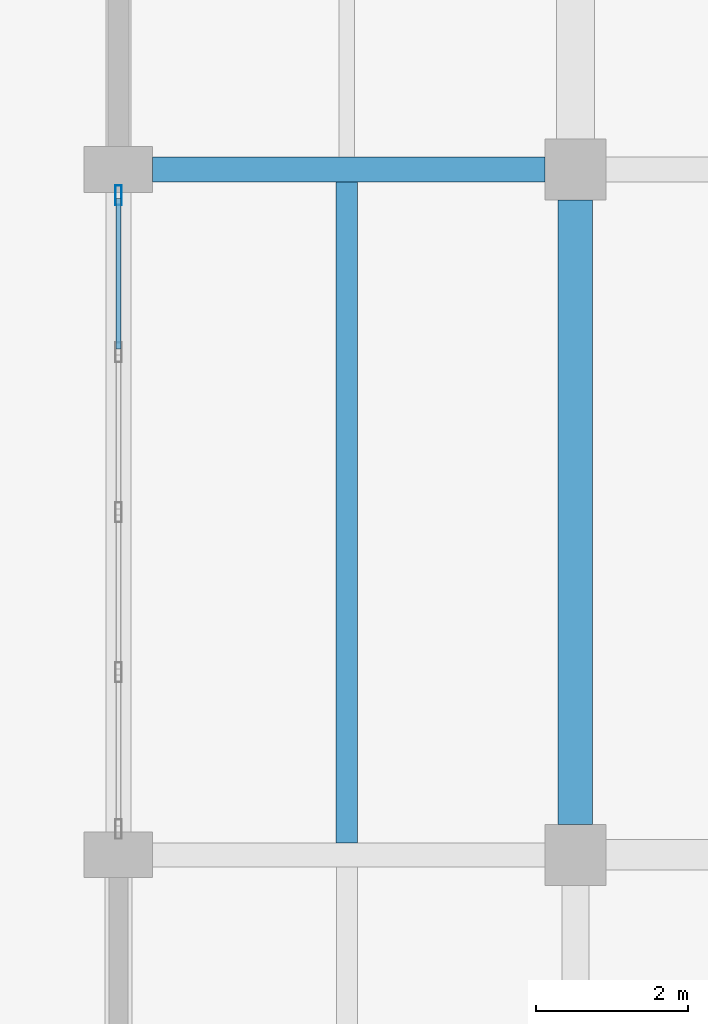
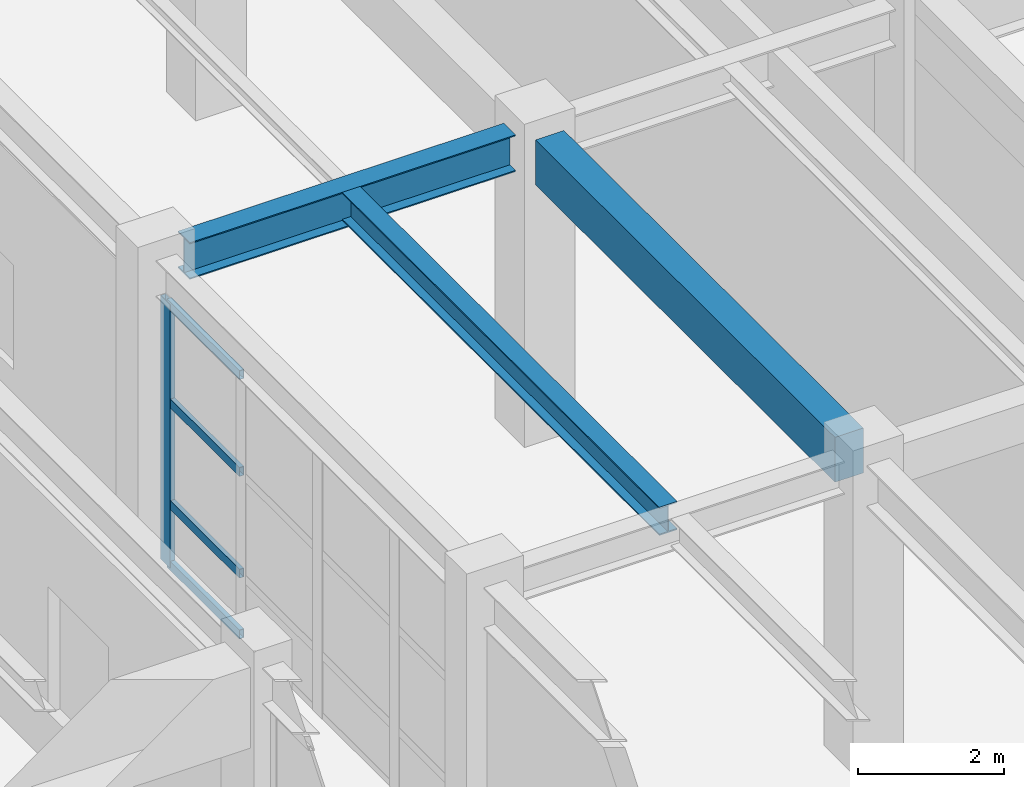
# One storey, part 14 of 91: 5 members, 3 beams, 1 element without a shape of its own.
"""IFC4 building model written with IfcOpenShell, lengths in metres."""

from ifc_helpers import new_model, si_unit, direction, frame, origin, origin_2d, place, context, subcontext, project, spatial, rectangle, hollow_rectangle, i_section, extrude, material, layer, layer_set, material_profile, profile_set, type_object, element, aggregate, save


model = new_model("IFC4")

# Units and contexts
model_context = context("Model", 3, precision=1e-05, world=origin(), true_north=direction((0.0, 1.0)))
body_context = subcontext(model_context, "Body", "Model", "MODEL_VIEW")
ifc_project = project(units=[si_unit("LENGTHUNIT", "METRE"), si_unit("AREAUNIT", "SQUARE_METRE"), si_unit("VOLUMEUNIT", "CUBIC_METRE"), si_unit("PLANEANGLEUNIT", "RADIAN"), si_unit("MASSUNIT", "GRAM", prefix="KILO")], contexts=[model_context])

# Site, building, storey
site_placement = place(None, origin())
site = spatial("IfcSite", under=ifc_project, at=site_placement, CompositionType="ELEMENT")
building_placement = place(site_placement, origin())
building = spatial("IfcBuilding", under=site, at=building_placement, Name="Vaelkrest Opera House", CompositionType="ELEMENT")
storey_placement = place(building_placement, origin())
storey = spatial("IfcBuildingStorey", under=building, at=storey_placement, Name="L00", CompositionType="ELEMENT", Elevation=0.0)

# Beams
ifc_material_1 = material(Name="Concrete C50/60", Category="concrete")
ifc_material_profile_1 = material_profile(ifc_material_1, rectangle(XDim=0.449951171875, YDim=0.75, at=origin_2d()), Name="RCB450X750")
ifc_profile_set_1 = profile_set([ifc_material_profile_1], Name="Concrete C50/60")
beam_type_1 = type_object("IfcBeamType", Name="B02", PredefinedType="BEAM", material=ifc_profile_set_1)
beam_1_placement = place(storey_placement, frame((-24.0, -7.39990234375, 4.705078125), z_axis=(0.0, 1.0, 0.0), x_axis=(-1.0, 0.0, 0.0)))
element("IfcBeam", 1, at=beam_1_placement, inside=storey, type_object=beam_type_1, Name="Beam BM-V1-L00-0151", PredefinedType="BEAM", context=body_context, shape_type="SweptSolid", body=[
    extrude(rectangle(XDim=0.449951171875, YDim=0.75, at=origin_2d()), origin(), (0.0, 0.0, 1.0), 8.199951171875),
])
ifc_material_2 = material(Name="Steel A992 Gr50", Category="steel")
ifc_material_profile_2 = material_profile(ifc_material_2, i_section(OverallWidth=0.323974609375, OverallDepth=0.611083984375, WebThickness=0.0126953125, FlangeThickness=0.01904296875, at=origin_2d()), Name="W24X104")
ifc_profile_set_2 = profile_set([ifc_material_profile_2], Name="Steel A992 Gr50")
beam_type_2 = type_object("IfcBeamType", Name="B08", PredefinedType="BEAM", material=ifc_profile_set_2)
beam_2_placement = place(storey_placement, frame((-29.550048828125, 1.199951171875, 4.7744140625), z_axis=(1.0, 0.0, 0.0), x_axis=(0.0, 1.0, 0.0)))
element("IfcBeam", 2, at=beam_2_placement, inside=storey, type_object=beam_type_2, Name="Beam BM-V1-L00-0121", PredefinedType="BEAM", context=body_context, shape_type="SweptSolid", body=[
    extrude(i_section(OverallWidth=0.323974609375, OverallDepth=0.611083984375, WebThickness=0.0126953125, FlangeThickness=0.01904296875, at=origin_2d()), origin(), (0.0, 0.0, 1.0), 5.150146484375),
])

# Curtain wall, members
ifc_material_3 = material(Name="Dark bronze anodized aluminium", Category="aluminium")
ifc_layer = layer(ifc_material_3, 0.25)
ifc_layer_set = layer_set([ifc_layer], Name="Dark bronze anodized aluminium")
curtain_wall_type = type_object("IfcCurtainWallType", Name="CW08", PredefinedType="NOTDEFINED", material=ifc_layer_set)
curtain_wall_placement = place(storey_placement, origin())
curtain_wall = element("IfcCurtainWall", 3, at=curtain_wall_placement, inside=storey, type_object=curtain_wall_type, Name="Curtain wall CW-L00-015", PredefinedType="NOTDEFINED")
ifc_material_profile_3 = material_profile(ifc_material_3, hollow_rectangle(XDim=0.080078125, YDim=0.260009765625, WallThickness=0.0048828125, at=origin_2d()), Name="CWM80X260")
ifc_profile_set_3 = profile_set([ifc_material_profile_3], Name="Dark bronze anodized aluminium")
member_type_1 = type_object("IfcMemberType", Name="CWM04", PredefinedType="MULLION", material=ifc_profile_set_3)
member_1_placement = place(storey_placement, frame((-30.0, 0.862060546875, 0.0), z_axis=(0.0, 0.0, 1.0), x_axis=(-1.0, 0.0, 0.0)))
member_1 = element("IfcMember", 4, at=member_1_placement, type_object=member_type_1, Name="CW08 mullion 5", PredefinedType="MULLION", context=body_context, shape_type="SweptSolid", body=[
    extrude(hollow_rectangle(XDim=0.080078125, YDim=0.260009765625, WallThickness=0.0048828125, at=origin_2d()), origin(), (0.0, 0.0, 1.0), 4.404052734375),
])
ifc_material_profile_4 = material_profile(ifc_material_3, hollow_rectangle(XDim=0.070068359375, YDim=0.14990234375, WallThickness=0.004150390625, at=origin_2d()), Name="CWT70X150")
ifc_profile_set_4 = profile_set([ifc_material_profile_4], Name="Dark bronze anodized aluminium")
member_type_2 = type_object("IfcMemberType", Name="CWT02", PredefinedType="USERDEFINED", material=ifc_profile_set_4)
member_2_placement = place(storey_placement, frame((-30.0, -1.158935546875, 0.034912109375), z_axis=(0.0, 1.0, 0.0), x_axis=(-1.0, 0.0, 0.0)))
member_2 = element("IfcMember", 5, at=member_2_placement, type_object=member_type_2, Name="CW08 transom 4.1", ObjectType="TRANSOM", PredefinedType="USERDEFINED", context=body_context, shape_type="SweptSolid", body=[
    extrude(hollow_rectangle(XDim=0.070068359375, YDim=0.14990234375, WallThickness=0.004150390625, at=origin_2d()), origin(), (0.0, 0.0, 1.0), 1.98095703125),
])
member_3_placement = place(storey_placement, frame((-30.0, -1.158935546875, 1.050048828125), z_axis=(0.0, 1.0, 0.0), x_axis=(-1.0, 0.0, 0.0)))
member_3 = element("IfcMember", 6, at=member_3_placement, type_object=member_type_2, Name="CW08 transom 4.2", ObjectType="TRANSOM", PredefinedType="USERDEFINED", context=body_context, shape_type="SweptSolid", body=[
    extrude(hollow_rectangle(XDim=0.070068359375, YDim=0.14990234375, WallThickness=0.004150390625, at=origin_2d()), origin(), (0.0, 0.0, 1.0), 1.98095703125),
])
member_4_placement = place(storey_placement, frame((-30.0, -1.158935546875, 2.75), z_axis=(0.0, 1.0, 0.0), x_axis=(-1.0, 0.0, 0.0)))
member_4 = element("IfcMember", 7, at=member_4_placement, type_object=member_type_2, Name="CW08 transom 4.3", ObjectType="TRANSOM", PredefinedType="USERDEFINED", context=body_context, shape_type="SweptSolid", body=[
    extrude(hollow_rectangle(XDim=0.070068359375, YDim=0.14990234375, WallThickness=0.004150390625, at=origin_2d()), origin(), (0.0, 0.0, 1.0), 1.98095703125),
])
member_5_placement = place(storey_placement, frame((-30.0, -1.158935546875, 4.368896484375), z_axis=(0.0, 1.0, 0.0), x_axis=(-1.0, 0.0, 0.0)))
member_5 = element("IfcMember", 8, at=member_5_placement, type_object=member_type_2, Name="CW08 transom 4.4", ObjectType="TRANSOM", PredefinedType="USERDEFINED", context=body_context, shape_type="SweptSolid", body=[
    extrude(hollow_rectangle(XDim=0.070068359375, YDim=0.14990234375, WallThickness=0.004150390625, at=origin_2d()), origin(), (0.0, 0.0, 1.0), 1.98095703125),
])
aggregate(curtain_wall, [member_1, member_2, member_3, member_4, member_5])

# Beam
ifc_material_profile_5 = material_profile(ifc_material_2, i_section(OverallWidth=0.282958984375, OverallDepth=0.471923828125, WebThickness=0.013671875, FlangeThickness=0.022216796875, at=origin_2d()), Name="W18X97")
ifc_profile_set_5 = profile_set([ifc_material_profile_5], Name="Steel A992 Gr50")
beam_type_3 = type_object("IfcBeamType", Name="J10", PredefinedType="JOIST", material=ifc_profile_set_5)
beam_3_placement = place(storey_placement, frame((-27.0, -7.642578125, 4.843994140625), z_axis=(0.0, 1.0, 0.0), x_axis=(-1.0, 0.0, 0.0)))
element("IfcBeam", 9, at=beam_3_placement, inside=storey, type_object=beam_type_3, Name="Floor joist JST-V1-L00-0190", PredefinedType="JOIST", context=body_context, shape_type="SweptSolid", body=[
    extrude(i_section(OverallWidth=0.282958984375, OverallDepth=0.471923828125, WebThickness=0.013671875, FlangeThickness=0.022216796875, at=origin_2d()), origin(), (0.0, 0.0, 1.0), 8.6806640625),
])

save(model, "model.ifc")
